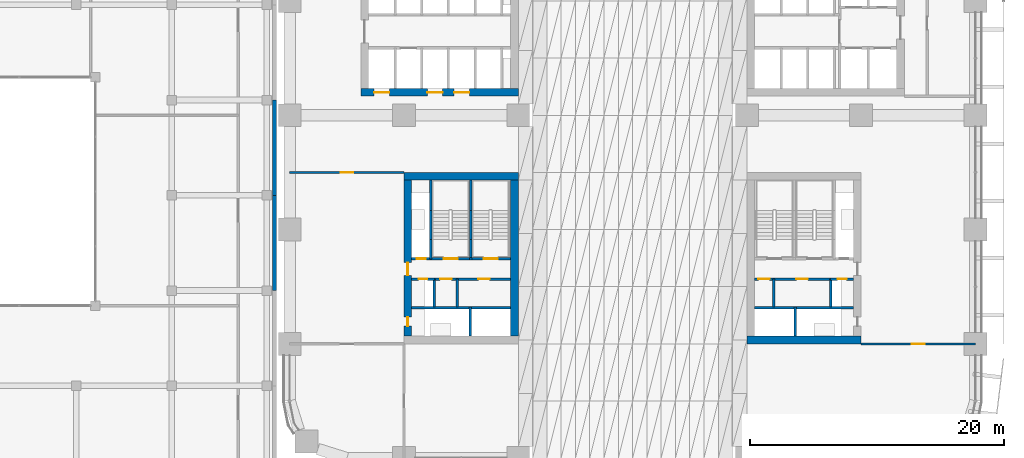
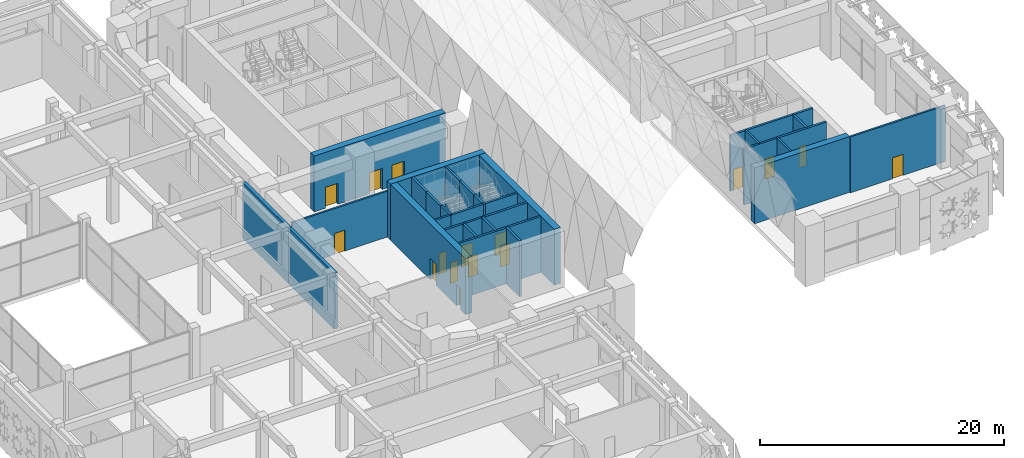
# One storey, part 17 of 46: 31 walls, 16 doors, 16 openings.
"""IFC4 building model written with IfcOpenShell, lengths in metres."""

from ifc_helpers import new_model, si_unit, direction, frame, frame_2d, origin, place, context, subcontext, project, spatial, rectangle, extrude, material, layer, layer_set, type_object, element, fill, save


model = new_model("IFC4")

# Units and contexts
model_context = context("Model", 3, precision=1e-05, world=origin(), true_north=direction((0.0, 1.0)))
body_context = subcontext(model_context, "Body", "Model", "MODEL_VIEW")
ifc_project = project(units=[si_unit("LENGTHUNIT", "METRE"), si_unit("AREAUNIT", "SQUARE_METRE"), si_unit("VOLUMEUNIT", "CUBIC_METRE"), si_unit("PLANEANGLEUNIT", "RADIAN"), si_unit("MASSUNIT", "GRAM", prefix="KILO")], contexts=[model_context])

# Site, building, storey
site_placement = place(None, origin())
site = spatial("IfcSite", under=ifc_project, at=site_placement, CompositionType="ELEMENT")
building_placement = place(site_placement, origin())
building = spatial("IfcBuilding", under=site, at=building_placement, Name="Tessera Arch", CompositionType="ELEMENT")
storey_placement = place(building_placement, frame((0.0, 0.0, 8.0)))
storey = spatial("IfcBuildingStorey", under=building, at=storey_placement, Name="L01", CompositionType="ELEMENT", Elevation=8.0)

# Wall
ifc_material_1 = material(Name="Gypsum board on steel stud", Category="steel")
ifc_layer_1 = layer(ifc_material_1, 0.125)
ifc_layer_set_1 = layer_set([ifc_layer_1], Name="Core partition 125 EI 60")
wall_type_1 = type_object("IfcWallType", Name="Core partition 125 EI 60", PredefinedType="PARTITIONING", material=ifc_layer_set_1)
wall_1_placement = place(storey_placement, frame((38.10009765625, 11.89990234375, 0.0), z_axis=(0.0, 0.0, 1.0), x_axis=(0.0, 1.0, 0.0)))
element("IfcWall", 1, at=wall_1_placement, inside=storey, type_object=wall_type_1, Name="L01 C3 partition wall 1", PredefinedType="PARTITIONING", context=body_context, shape_type="SweptSolid", body=[
    extrude(rectangle(XDim=2.2001953125, YDim=0.199951171875, at=frame_2d((1.10009765625, 0.0))), origin(), (0.0, 0.0, 1.0), 5.590087890625),
])

# Wall, openings, doors
wall_2_placement = place(storey_placement, frame((36.60009765625, 14.10009765625, 0.0), z_axis=(0.0, 0.0, 1.0), x_axis=(1.0, 0.0, 0.0)))
wall_2 = element("IfcWall", 2, at=wall_2_placement, inside=storey, type_object=wall_type_1, Name="L01 C3 partition wall 11", PredefinedType="PARTITIONING", context=body_context, shape_type="SweptSolid", body=[
    extrude(rectangle(XDim=6.0, YDim=0.199951171875, at=frame_2d((3.0, 0.0))), origin(), (0.0, 0.0, 1.0), 5.590087890625),
])
opening_1_placement = place(wall_2_placement, frame((0.300048828125, 0.0, 0.0)))
opening_1 = element("IfcOpeningElement", 3, at=opening_1_placement, cuts=wall_2, Name="Opening L01-C35", PredefinedType="OPENING", context=body_context, shape_type="SweptSolid", body=[
    extrude(rectangle(XDim=0.89990234375, YDim=2.10009765625, at=frame_2d((0.449951171875, 1.050048828125))), frame((0.0, 0.10986328125, 0.0), z_axis=(0.0, -1.0, 0.0), x_axis=(1.0, 0.0, 0.0)), (0.0, 0.0, 1.0), 0.219970703125),
])
opening_2_placement = place(wall_2_placement, frame((3.300048828125, 0.0, 0.0)))
opening_2 = element("IfcOpeningElement", 4, at=opening_2_placement, cuts=wall_2, Name="Opening L01-C36", PredefinedType="OPENING", context=body_context, shape_type="SweptSolid", body=[
    extrude(rectangle(XDim=0.89990234375, YDim=2.10009765625, at=frame_2d((0.449951171875, 1.050048828125))), frame((0.0, 0.10986328125, 0.0), z_axis=(0.0, -1.0, 0.0), x_axis=(1.0, 0.0, 0.0)), (0.0, 0.0, 1.0), 0.219970703125),
])
ifc_material_2 = material(Name="Steel door leaf", Category="steel")
door_type_1 = type_object("IfcDoorType", Name="Store door FD30S 900 x 2100", OperationType="SINGLE_SWING_LEFT", PredefinedType="DOOR", material=ifc_material_2)
door_1_placement = place(opening_1_placement, origin())
door_1 = element("IfcDoor", 5, at=door_1_placement, inside=storey, type_object=door_type_1, Name="L01 C3 door 7 C35 type D09", OperationType="SINGLE_SWING_LEFT", OverallHeight=2.10009765625, OverallWidth=0.89990234375, PredefinedType="DOOR", context=body_context, shape_type="SweptSolid", body=[
    extrude(rectangle(XDim=0.89990234375, YDim=2.10009765625, at=frame_2d((0.449951171875, 1.050048828125))), frame((0.0, 0.02490234375, 0.0), z_axis=(0.0, -1.0, 0.0), x_axis=(1.0, 0.0, 0.0)), (0.0, 0.0, 1.0), 0.050048828125),
])
fill(opening_1, door_1)
door_2_placement = place(opening_2_placement, origin())
door_2 = element("IfcDoor", 6, at=door_2_placement, inside=storey, type_object=door_type_1, Name="L01 C3 door 8 C36 type D09", OperationType="SINGLE_SWING_RIGHT", OverallHeight=2.10009765625, OverallWidth=0.89990234375, PredefinedType="DOOR", context=body_context, shape_type="SweptSolid", body=[
    extrude(rectangle(XDim=0.89990234375, YDim=2.10009765625, at=frame_2d((0.449951171875, 1.050048828125))), frame((0.0, 0.02490234375, 0.0), z_axis=(0.0, -1.0, 0.0), x_axis=(1.0, 0.0, 0.0)), (0.0, 0.0, 1.0), 0.050048828125),
])
fill(opening_2, door_2)

# Wall
wall_3_placement = place(storey_placement, frame((13.199951171875, 11.89990234375, 0.0), z_axis=(0.0, 0.0, 1.0), x_axis=(0.0, 1.0, 0.0)))
element("IfcWall", 7, at=wall_3_placement, inside=storey, type_object=wall_type_1, Name="L01 C4 partition wall 5", PredefinedType="PARTITIONING", context=body_context, shape_type="SweptSolid", body=[
    extrude(rectangle(XDim=2.2001953125, YDim=0.199951171875, at=frame_2d((1.10009765625, 0.0))), origin(), (0.0, 0.0, 1.0), 5.590087890625),
])

# Wall, openings, doors
wall_4_placement = place(storey_placement, frame((11.39990234375, 14.10009765625, 0.0), z_axis=(0.0, 0.0, 1.0), x_axis=(1.0, 0.0, 0.0)))
wall_4 = element("IfcWall", 8, at=wall_4_placement, inside=storey, type_object=wall_type_1, Name="L01 C4 partition wall 11", PredefinedType="PARTITIONING", context=body_context, shape_type="SweptSolid", body=[
    extrude(rectangle(XDim=6.0, YDim=0.199951171875, at=frame_2d((3.0, 0.0))), origin(), (0.0, 0.0, 1.0), 5.590087890625),
])
opening_3_placement = place(wall_4_placement, frame((0.449951171875, 0.0, 0.0)))
opening_3 = element("IfcOpeningElement", 9, at=opening_3_placement, cuts=wall_4, Name="Opening L01-C43", PredefinedType="OPENING", context=body_context, shape_type="SweptSolid", body=[
    extrude(rectangle(XDim=0.89990234375, YDim=2.10009765625, at=frame_2d((0.449951171875, 1.050048828125))), frame((0.0, 0.10986328125, 0.0), z_axis=(0.0, -1.0, 0.0), x_axis=(1.0, 0.0, 0.0)), (0.0, 0.0, 1.0), 0.219970703125),
])
opening_4_placement = place(wall_4_placement, frame((3.449951171875, 0.0, 0.0)))
opening_4 = element("IfcOpeningElement", 10, at=opening_4_placement, cuts=wall_4, Name="Opening L01-C44", PredefinedType="OPENING", context=body_context, shape_type="SweptSolid", body=[
    extrude(rectangle(XDim=0.89990234375, YDim=2.10009765625, at=frame_2d((0.449951171875, 1.050048828125))), frame((0.0, 0.10986328125, 0.0), z_axis=(0.0, -1.0, 0.0), x_axis=(1.0, 0.0, 0.0)), (0.0, 0.0, 1.0), 0.219970703125),
])
door_3_placement = place(opening_3_placement, origin())
door_3 = element("IfcDoor", 11, at=door_3_placement, inside=storey, type_object=door_type_1, Name="L01 C4 door 7 C43 type D09", OperationType="SINGLE_SWING_LEFT", OverallHeight=2.10009765625, OverallWidth=0.89990234375, PredefinedType="DOOR", context=body_context, shape_type="SweptSolid", body=[
    extrude(rectangle(XDim=0.89990234375, YDim=2.10009765625, at=frame_2d((0.449951171875, 1.050048828125))), frame((0.0, 0.02490234375, 0.0), z_axis=(0.0, -1.0, 0.0), x_axis=(1.0, 0.0, 0.0)), (0.0, 0.0, 1.0), 0.050048828125),
])
fill(opening_3, door_3)
door_4_placement = place(opening_4_placement, origin())
door_4 = element("IfcDoor", 12, at=door_4_placement, inside=storey, type_object=door_type_1, Name="L01 C4 door 8 C44 type D09", OperationType="SINGLE_SWING_RIGHT", OverallHeight=2.10009765625, OverallWidth=0.89990234375, PredefinedType="DOOR", context=body_context, shape_type="SweptSolid", body=[
    extrude(rectangle(XDim=0.89990234375, YDim=2.10009765625, at=frame_2d((0.449951171875, 1.050048828125))), frame((0.0, 0.02490234375, 0.0), z_axis=(0.0, -1.0, 0.0), x_axis=(1.0, 0.0, 0.0)), (0.0, 0.0, 1.0), 0.050048828125),
])
fill(opening_4, door_4)

ifc_material_3 = material(Name="Concrete C70/85", Category="concrete")
ifc_layer_2 = layer(ifc_material_3, 0.60009765625)
ifc_layer_set_2 = layer_set([ifc_layer_2], Name="Core shell wall 600 C70-85")
wall_type_2 = type_object("IfcWallType", Name="Core shell wall 600 C70-85", PredefinedType="SHEAR", material=ifc_layer_set_2)
wall_5_placement = place(storey_placement, frame((5.60009765625, 28.800048828125, 0.0), z_axis=(0.0, 0.0, 1.0), x_axis=(1.0, 0.0, 0.0)))
wall_5 = element("IfcWall", 13, at=wall_5_placement, inside=storey, type_object=wall_type_2, Name="L01 C2 core wall S", PredefinedType="SHEAR", context=body_context, shape_type="SweptSolid", body=[
    extrude(rectangle(XDim=12.39990234375, YDim=0.60009765625, at=frame_2d((6.199951171875, 0.0))), origin(), (0.0, 0.0, 1.0), 5.590087890625),
])
opening_5_placement = place(wall_5_placement, frame((1.050048828125, 0.0, 0.0)))
opening_5 = element("IfcOpeningElement", 14, at=opening_5_placement, cuts=wall_5, Name="Opening L01-C13", PredefinedType="OPENING", context=body_context, shape_type="SweptSolid", body=[
    extrude(rectangle(XDim=1.199951171875, YDim=2.10009765625, at=frame_2d((0.60009765625, 1.050048828125))), frame((0.0, 0.31005859375, 0.0), z_axis=(0.0, -1.0, 0.0), x_axis=(1.0, 0.0, 0.0)), (0.0, 0.0, 1.0), 0.6201171875),
])
opening_6_placement = place(wall_5_placement, frame((5.25, 0.0, 0.0)))
opening_6 = element("IfcOpeningElement", 15, at=opening_6_placement, cuts=wall_5, Name="Opening L01-C15", PredefinedType="OPENING", context=body_context, shape_type="SweptSolid", body=[
    extrude(rectangle(XDim=1.199951171875, YDim=2.10009765625, at=frame_2d((0.60009765625, 1.050048828125))), frame((0.0, 0.31005859375, 0.0), z_axis=(0.0, -1.0, 0.0), x_axis=(1.0, 0.0, 0.0)), (0.0, 0.0, 1.0), 0.6201171875),
])
opening_7_placement = place(wall_5_placement, frame((7.35009765625, 0.0, 0.0)))
opening_7 = element("IfcOpeningElement", 16, at=opening_7_placement, cuts=wall_5, Name="Opening L01-C16", PredefinedType="OPENING", context=body_context, shape_type="SweptSolid", body=[
    extrude(rectangle(XDim=1.199951171875, YDim=2.10009765625, at=frame_2d((0.60009765625, 1.050048828125))), frame((0.0, 0.31005859375, 0.0), z_axis=(0.0, -1.0, 0.0), x_axis=(1.0, 0.0, 0.0)), (0.0, 0.0, 1.0), 0.6201171875),
])
ifc_material_4 = material(Name="Stainless steel AISI 304", Category="steel")
door_type_2 = type_object("IfcDoorType", Name="Sliding landing door 1200 x 2100", OperationType="SLIDING_TO_LEFT", PredefinedType="DOOR", material=ifc_material_4)
door_5_placement = place(opening_5_placement, origin())
door_5 = element("IfcDoor", 17, at=door_5_placement, inside=storey, type_object=door_type_2, Name="L01 LR1 lift landing door C13 type LD", OperationType="SLIDING_TO_LEFT", OverallHeight=2.10009765625, OverallWidth=1.199951171875, PredefinedType="DOOR", context=body_context, shape_type="SweptSolid", body=[
    extrude(rectangle(XDim=1.199951171875, YDim=2.10009765625, at=frame_2d((0.60009765625, 1.050048828125))), frame((0.0, 0.02490234375, 0.0), z_axis=(0.0, -1.0, 0.0), x_axis=(1.0, 0.0, 0.0)), (0.0, 0.0, 1.0), 0.050048828125),
])
fill(opening_5, door_5)
door_6_placement = place(opening_6_placement, origin())
door_6 = element("IfcDoor", 18, at=door_6_placement, inside=storey, type_object=door_type_2, Name="L01 LR3 lift landing door C15 type LD", OperationType="SLIDING_TO_LEFT", OverallHeight=2.10009765625, OverallWidth=1.199951171875, PredefinedType="DOOR", context=body_context, shape_type="SweptSolid", body=[
    extrude(rectangle(XDim=1.199951171875, YDim=2.10009765625, at=frame_2d((0.60009765625, 1.050048828125))), frame((0.0, 0.02490234375, 0.0), z_axis=(0.0, -1.0, 0.0), x_axis=(1.0, 0.0, 0.0)), (0.0, 0.0, 1.0), 0.050048828125),
])
fill(opening_6, door_6)
door_7_placement = place(opening_7_placement, origin())
door_7 = element("IfcDoor", 19, at=door_7_placement, inside=storey, type_object=door_type_2, Name="L01 LR4 lift landing door C16 type LD", OperationType="SLIDING_TO_LEFT", OverallHeight=2.10009765625, OverallWidth=1.199951171875, PredefinedType="DOOR", context=body_context, shape_type="SweptSolid", body=[
    extrude(rectangle(XDim=1.199951171875, YDim=2.10009765625, at=frame_2d((0.60009765625, 1.050048828125))), frame((0.0, 0.02490234375, 0.0), z_axis=(0.0, -1.0, 0.0), x_axis=(1.0, 0.0, 0.0)), (0.0, 0.0, 1.0), 0.050048828125),
])
fill(opening_7, door_7)

# Walls
for number, where, z_axis, x_axis, name in (
    (20, (36.0, 9.300048828125, 0.0), (0.0, 0.0, 1.0), (1.0, 0.0, 0.0), "L01 C3 core wall S"),
    (21, (9.0, 22.199951171875, 0.0), (0.0, 0.0, 1.0), (1.0, 0.0, 0.0), "L01 C4 core wall N"),
):
    element("IfcWall", number, at=place(storey_placement, frame(where, z_axis=z_axis, x_axis=x_axis)), inside=storey, type_object=wall_type_2, Name=name, PredefinedType="SHEAR", context=body_context, shape_type="SweptSolid", body=[
        extrude(rectangle(XDim=9.0, YDim=0.60009765625, at=frame_2d((4.5, 0.0))), origin(), (0.0, 0.0, 1.0), 5.590087890625),
    ])

# Wall, openings, doors
wall_6_placement = place(storey_placement, frame((9.300048828125, 9.60009765625, 0.0), z_axis=(0.0, 0.0, 1.0), x_axis=(0.0, 1.0, 0.0)))
wall_6 = element("IfcWall", 22, at=wall_6_placement, inside=storey, type_object=wall_type_2, Name="L01 C4 core wall W", PredefinedType="SHEAR", context=body_context, shape_type="SweptSolid", body=[
    extrude(rectangle(XDim=12.2998046875, YDim=0.60009765625, at=frame_2d((6.14990234375, 0.0))), origin(), (0.0, 0.0, 1.0), 5.590087890625),
])
opening_8_placement = place(wall_6_placement, frame((0.800048828125, 0.0, 0.0)))
opening_8 = element("IfcOpeningElement", 23, at=opening_8_placement, cuts=wall_6, Name="Opening L01-C41", PredefinedType="OPENING", context=body_context, shape_type="SweptSolid", body=[
    extrude(rectangle(XDim=0.699951171875, YDim=2.10009765625, at=frame_2d((0.35009765625, 1.050048828125))), frame((0.0, 0.31005859375, 0.0), z_axis=(0.0, -1.0, 0.0), x_axis=(1.0, 0.0, 0.0)), (0.0, 0.0, 1.0), 0.6201171875),
])
opening_9_placement = place(wall_6_placement, frame((4.800048828125, 0.0, 0.0)))
opening_9 = element("IfcOpeningElement", 24, at=opening_9_placement, cuts=wall_6, Name="Opening L01-C42", PredefinedType="OPENING", context=body_context, shape_type="SweptSolid", body=[
    extrude(rectangle(XDim=1.0, YDim=2.10009765625, at=frame_2d((0.5, 1.050048828125))), frame((0.0, 0.31005859375, 0.0), z_axis=(0.0, -1.0, 0.0), x_axis=(1.0, 0.0, 0.0)), (0.0, 0.0, 1.0), 0.6201171875),
])
ifc_material_5 = material(Name="Steel door leaf", Category="steel")
door_type_3 = type_object("IfcDoorType", Name="Corridor door FD60 1000 x 2100", OperationType="SINGLE_SWING_LEFT", PredefinedType="DOOR", material=ifc_material_5)
door_8_placement = place(opening_9_placement, origin())
door_8 = element("IfcDoor", 25, at=door_8_placement, inside=storey, type_object=door_type_3, Name="L01 C4 door 6 C42 type D12", OperationType="SINGLE_SWING_LEFT", OverallHeight=2.10009765625, OverallWidth=1.0, PredefinedType="DOOR", context=body_context, shape_type="SweptSolid", body=[
    extrude(rectangle(XDim=1.0, YDim=2.10009765625, at=frame_2d((0.5, 1.050048828125))), frame((0.0, 0.02490234375, 0.0), z_axis=(0.0, -1.0, 0.0), x_axis=(1.0, 0.0, 0.0)), (0.0, 0.0, 1.0), 0.050048828125),
])
fill(opening_9, door_8)
ifc_material_6 = material(Name="Steel door leaf", Category="steel")
door_type_4 = type_object("IfcDoorType", Name="Service shaft door FD60 700 x 2100", OperationType="SINGLE_SWING_LEFT", PredefinedType="DOOR", material=ifc_material_6)
door_9_placement = place(opening_8_placement, origin())
door_9 = element("IfcDoor", 26, at=door_9_placement, inside=storey, type_object=door_type_4, Name="L01 C4 door 5 C41 type D07", OperationType="SINGLE_SWING_LEFT", OverallHeight=2.10009765625, OverallWidth=0.699951171875, PredefinedType="DOOR", context=body_context, shape_type="SweptSolid", body=[
    extrude(rectangle(XDim=0.699951171875, YDim=2.10009765625, at=frame_2d((0.35009765625, 1.050048828125))), frame((0.0, 0.02490234375, 0.0), z_axis=(0.0, -1.0, 0.0), x_axis=(1.0, 0.0, 0.0)), (0.0, 0.0, 1.0), 0.050048828125),
])
fill(opening_8, door_9)

# Wall
wall_7_placement = place(storey_placement, frame((17.699951171875, 9.60009765625, 0.0), z_axis=(0.0, 0.0, 1.0), x_axis=(0.0, 1.0, 0.0)))
element("IfcWall", 27, at=wall_7_placement, inside=storey, type_object=wall_type_2, Name="L01 C4 core wall E", PredefinedType="SHEAR", context=body_context, shape_type="SweptSolid", body=[
    extrude(rectangle(XDim=12.2998046875, YDim=0.60009765625, at=frame_2d((6.14990234375, 0.0))), origin(), (0.0, 0.0, 1.0), 5.590087890625),
])

# Wall, opening, door
ifc_material_7 = material(Name="Gypsum board on deep steel stud with mineral wool", Category="steel")
ifc_layer_3 = layer(ifc_material_7, 0.175048828125)
ifc_layer_set_3 = layer_set([ifc_layer_3], Name="Corridor wall 175 EI 60")
wall_type_3 = type_object("IfcWallType", Name="Corridor wall 175 EI 60", PredefinedType="PARTITIONING", material=ifc_layer_set_3)
wall_8_placement = place(storey_placement, frame((45.0, 9.0, 0.0), z_axis=(0.0, 0.0, 1.0), x_axis=(1.0, 0.0, 0.0)))
wall_8 = element("IfcWall", 28, at=wall_8_placement, inside=storey, type_object=wall_type_3, Name="L01 partition 4", PredefinedType="PARTITIONING", context=body_context, shape_type="SweptSolid", body=[
    extrude(rectangle(XDim=9.0, YDim=0.175048828125, at=frame_2d((4.5, 0.0))), origin(), (0.0, 0.0, 1.0), 5.590087890625),
])
opening_10_placement = place(wall_8_placement, frame((4.0, 0.0, 0.0)))
opening_10 = element("IfcOpeningElement", 29, at=opening_10_placement, cuts=wall_8, Name="Opening L01-D010", PredefinedType="OPENING", context=body_context, shape_type="SweptSolid", body=[
    extrude(rectangle(XDim=1.0, YDim=2.10009765625, at=frame_2d((0.5, 1.050048828125))), frame((0.0, 0.097412109375, 0.0), z_axis=(0.0, -1.0, 0.0), x_axis=(1.0, 0.0, 0.0)), (0.0, 0.0, 1.0), 0.195068359375),
])
ifc_material_8 = material(Name="Fire-rated door leaf")
door_type_5 = type_object("IfcDoorType", Name="Entrance door FD30S 1000 x 2100", OperationType="SINGLE_SWING_LEFT", PredefinedType="DOOR", material=ifc_material_8)
door_10_placement = place(opening_10_placement, origin())
door_10 = element("IfcDoor", 30, at=door_10_placement, inside=storey, type_object=door_type_5, Name="L01 door D010 type D03", OperationType="SINGLE_SWING_LEFT", OverallHeight=2.10009765625, OverallWidth=1.0, PredefinedType="DOOR", context=body_context, shape_type="SweptSolid", body=[
    extrude(rectangle(XDim=1.0, YDim=2.10009765625, at=frame_2d((0.5, 1.050048828125))), frame((0.0, 0.02490234375, 0.0), z_axis=(0.0, -1.0, 0.0), x_axis=(1.0, 0.0, 0.0)), (0.0, 0.0, 1.0), 0.050048828125),
])
fill(opening_10, door_10)

wall_9_placement = place(storey_placement, frame((0.0, 22.5, 0.0), z_axis=(0.0, 0.0, 1.0), x_axis=(1.0, 0.0, 0.0)))
wall_9 = element("IfcWall", 31, at=wall_9_placement, inside=storey, type_object=wall_type_3, Name="L01 partition 7", PredefinedType="PARTITIONING", context=body_context, shape_type="SweptSolid", body=[
    extrude(rectangle(XDim=9.0, YDim=0.175048828125, at=frame_2d((4.5, 0.0))), origin(), (0.0, 0.0, 1.0), 4.590087890625),
])
opening_11_placement = place(wall_9_placement, frame((4.0, 0.0, 0.0)))
opening_11 = element("IfcOpeningElement", 32, at=opening_11_placement, cuts=wall_9, Name="Opening L01-D013", PredefinedType="OPENING", context=body_context, shape_type="SweptSolid", body=[
    extrude(rectangle(XDim=1.0, YDim=2.10009765625, at=frame_2d((0.5, 1.050048828125))), frame((0.0, 0.097412109375, 0.0), z_axis=(0.0, -1.0, 0.0), x_axis=(1.0, 0.0, 0.0)), (0.0, 0.0, 1.0), 0.195068359375),
])
door_11_placement = place(opening_11_placement, origin())
door_11 = element("IfcDoor", 33, at=door_11_placement, inside=storey, type_object=door_type_5, Name="L01 door D013 type D03", OperationType="SINGLE_SWING_LEFT", OverallHeight=2.10009765625, OverallWidth=1.0, PredefinedType="DOOR", context=body_context, shape_type="SweptSolid", body=[
    extrude(rectangle(XDim=1.0, YDim=2.10009765625, at=frame_2d((0.5, 1.050048828125))), frame((0.0, 0.02490234375, 0.0), z_axis=(0.0, -1.0, 0.0), x_axis=(1.0, 0.0, 0.0)), (0.0, 0.0, 1.0), 0.050048828125),
])
fill(opening_11, door_11)

# Walls
ifc_material_9 = material(Name="Concrete C40/50", Category="concrete")
ifc_layer_4 = layer(ifc_material_9, 0.300048828125)
ifc_layer_set_4 = layer_set([ifc_layer_4], Name="Museum fire wall")
wall_type_4 = type_object("IfcWallType", Name="Museum fire wall", PredefinedType="SOLIDWALL", material=ifc_layer_set_4)
for number, where, z_axis, x_axis, name in (
    (34, (-1.199951171875, 13.199951171875, 0.0), (0.0, 0.0, 1.0), (0.0, 1.0, 0.0), "Museum fire wall at the movement joint"),
    (35, (-1.199951171875, 20.699951171875, 0.0), (0.0, 0.0, 1.0), (0.0, 1.0, 0.0), "Museum fire wall at the movement joint"),
):
    element("IfcWall", number, at=place(storey_placement, frame(where, z_axis=z_axis, x_axis=x_axis)), inside=storey, type_object=wall_type_4, Name=name, PredefinedType="SOLIDWALL", context=body_context, shape_type="SweptSolid", body=[
        extrude(rectangle(XDim=7.5, YDim=0.300048828125, at=frame_2d((3.75, 0.0))), origin(), (0.0, 0.0, 1.0), 5.590087890625),
    ])
ifc_material_10 = material(Name="Concrete C40/50", Category="concrete")
ifc_layer_5 = layer(ifc_material_10, 0.199951171875)
ifc_layer_set_5 = layer_set([ifc_layer_5], Name="Shaft wall 200 EI 120")
wall_type_5 = type_object("IfcWallType", Name="Shaft wall 200 EI 120", PredefinedType="SOLIDWALL", material=ifc_layer_set_5)
wall_10_placement = place(storey_placement, frame((39.800048828125, 9.60009765625, 0.0), z_axis=(0.0, 0.0, 1.0), x_axis=(0.0, 1.0, 0.0)))
element("IfcWall", 36, at=wall_10_placement, inside=storey, type_object=wall_type_5, Name="L01 C3 shaft wall 5", PredefinedType="SOLIDWALL", context=body_context, shape_type="SweptSolid", body=[
    extrude(rectangle(XDim=2.2998046875, YDim=0.199951171875, at=frame_2d((1.14990234375, 0.0))), origin(), (0.0, 0.0, 1.0), 5.590087890625),
])
wall_11_placement = place(storey_placement, frame((42.60009765625, 11.89990234375, 0.0), z_axis=(0.0, 0.0, 1.0), x_axis=(0.0, 1.0, 0.0)))
element("IfcWall", 37, at=wall_11_placement, inside=storey, type_object=wall_type_5, Name="L01 C3 shaft wall 6", PredefinedType="SOLIDWALL", context=body_context, shape_type="SweptSolid", body=[
    extrude(rectangle(XDim=2.2001953125, YDim=0.199951171875, at=frame_2d((1.10009765625, 0.0))), origin(), (0.0, 0.0, 1.0), 5.590087890625),
])
wall_12_placement = place(storey_placement, frame((36.60009765625, 11.85009765625, 0.0), z_axis=(0.0, 0.0, 1.0), x_axis=(1.0, 0.0, 0.0)))
element("IfcWall", 38, at=wall_12_placement, inside=storey, type_object=wall_type_5, Name="L01 C3 shaft wall 10", PredefinedType="SOLIDWALL", context=body_context, shape_type="SweptSolid", body=[
    extrude(rectangle(XDim=7.7998046875, YDim=0.199951171875, at=frame_2d((3.89990234375, 0.0))), origin(), (0.0, 0.0, 1.0), 5.590087890625),
])

# Wall, opening, door
wall_13_placement = place(storey_placement, frame((42.60009765625, 14.10009765625, 0.0), z_axis=(0.0, 0.0, 1.0), x_axis=(1.0, 0.0, 0.0)))
wall_13 = element("IfcWall", 39, at=wall_13_placement, inside=storey, type_object=wall_type_5, Name="L01 C3 shaft wall 12", PredefinedType="SOLIDWALL", context=body_context, shape_type="SweptSolid", body=[
    extrude(rectangle(XDim=1.7998046875, YDim=0.199951171875, at=frame_2d((0.89990234375, 0.0))), origin(), (0.0, 0.0, 1.0), 5.590087890625),
])
opening_12_placement = place(wall_13_placement, frame((0.550048828125, 0.0, 0.0)))
opening_12 = element("IfcOpeningElement", 40, at=opening_12_placement, cuts=wall_13, Name="Opening L01-C32", PredefinedType="OPENING", context=body_context, shape_type="SweptSolid", body=[
    extrude(rectangle(XDim=0.699951171875, YDim=2.10009765625, at=frame_2d((0.35009765625, 1.050048828125))), frame((0.0, 0.10986328125, 0.0), z_axis=(0.0, -1.0, 0.0), x_axis=(1.0, 0.0, 0.0)), (0.0, 0.0, 1.0), 0.219970703125),
])
door_12_placement = place(opening_12_placement, origin())
door_12 = element("IfcDoor", 41, at=door_12_placement, inside=storey, type_object=door_type_4, Name="L01 C3 door 4 C32 type D07", OperationType="SINGLE_SWING_RIGHT", OverallHeight=2.10009765625, OverallWidth=0.699951171875, PredefinedType="DOOR", context=body_context, shape_type="SweptSolid", body=[
    extrude(rectangle(XDim=0.699951171875, YDim=2.10009765625, at=frame_2d((0.35009765625, 1.050048828125))), frame((0.0, 0.02490234375, 0.0), z_axis=(0.0, -1.0, 0.0), x_axis=(1.0, 0.0, 0.0)), (0.0, 0.0, 1.0), 0.050048828125),
])
fill(opening_12, door_12)

# Walls
wall_14_placement = place(storey_placement, frame((11.39990234375, 11.89990234375, 0.0), z_axis=(0.0, 0.0, 1.0), x_axis=(0.0, 1.0, 0.0)))
element("IfcWall", 42, at=wall_14_placement, inside=storey, type_object=wall_type_5, Name="L01 C4 shaft wall 4", PredefinedType="SOLIDWALL", context=body_context, shape_type="SweptSolid", body=[
    extrude(rectangle(XDim=2.2001953125, YDim=0.199951171875, at=frame_2d((1.10009765625, 0.0))), origin(), (0.0, 0.0, 1.0), 5.590087890625),
])
wall_15_placement = place(storey_placement, frame((14.199951171875, 9.60009765625, 0.0), z_axis=(0.0, 0.0, 1.0), x_axis=(0.0, 1.0, 0.0)))
element("IfcWall", 43, at=wall_15_placement, inside=storey, type_object=wall_type_5, Name="L01 C4 shaft wall 6", PredefinedType="SOLIDWALL", context=body_context, shape_type="SweptSolid", body=[
    extrude(rectangle(XDim=2.2998046875, YDim=0.199951171875, at=frame_2d((1.14990234375, 0.0))), origin(), (0.0, 0.0, 1.0), 5.590087890625),
])
wall_16_placement = place(storey_placement, frame((9.60009765625, 11.85009765625, 0.0), z_axis=(0.0, 0.0, 1.0), x_axis=(1.0, 0.0, 0.0)))
element("IfcWall", 44, at=wall_16_placement, inside=storey, type_object=wall_type_5, Name="L01 C4 shaft wall 10", PredefinedType="SOLIDWALL", context=body_context, shape_type="SweptSolid", body=[
    extrude(rectangle(XDim=7.7998046875, YDim=0.199951171875, at=frame_2d((3.89990234375, 0.0))), origin(), (0.0, 0.0, 1.0), 5.590087890625),
])

# Wall, opening, door
wall_17_placement = place(storey_placement, frame((9.60009765625, 14.10009765625, 0.0), z_axis=(0.0, 0.0, 1.0), x_axis=(1.0, 0.0, 0.0)))
wall_17 = element("IfcWall", 45, at=wall_17_placement, inside=storey, type_object=wall_type_5, Name="L01 C4 shaft wall 12", PredefinedType="SOLIDWALL", context=body_context, shape_type="SweptSolid", body=[
    extrude(rectangle(XDim=1.7998046875, YDim=0.199951171875, at=frame_2d((0.89990234375, 0.0))), origin(), (0.0, 0.0, 1.0), 5.590087890625),
])
opening_13_placement = place(wall_17_placement, frame((0.550048828125, 0.0, 0.0)))
opening_13 = element("IfcOpeningElement", 46, at=opening_13_placement, cuts=wall_17, Name="Opening L01-C40", PredefinedType="OPENING", context=body_context, shape_type="SweptSolid", body=[
    extrude(rectangle(XDim=0.699951171875, YDim=2.10009765625, at=frame_2d((0.35009765625, 1.050048828125))), frame((0.0, 0.10986328125, 0.0), z_axis=(0.0, -1.0, 0.0), x_axis=(1.0, 0.0, 0.0)), (0.0, 0.0, 1.0), 0.219970703125),
])
door_13_placement = place(opening_13_placement, origin())
door_13 = element("IfcDoor", 47, at=door_13_placement, inside=storey, type_object=door_type_4, Name="L01 C4 door 4 C40 type D07", OperationType="SINGLE_SWING_LEFT", OverallHeight=2.10009765625, OverallWidth=0.699951171875, PredefinedType="DOOR", context=body_context, shape_type="SweptSolid", body=[
    extrude(rectangle(XDim=0.699951171875, YDim=2.10009765625, at=frame_2d((0.35009765625, 1.050048828125))), frame((0.0, 0.02490234375, 0.0), z_axis=(0.0, -1.0, 0.0), x_axis=(1.0, 0.0, 0.0)), (0.0, 0.0, 1.0), 0.050048828125),
])
fill(opening_13, door_13)

wall_18_placement = place(storey_placement, frame((9.60009765625, 15.699951171875, 0.0), z_axis=(0.0, 0.0, 1.0), x_axis=(1.0, 0.0, 0.0)))
wall_18 = element("IfcWall", 48, at=wall_18_placement, inside=storey, type_object=wall_type_5, Name="L01 C4 shaft wall 13", PredefinedType="SOLIDWALL", context=body_context, shape_type="SweptSolid", body=[
    extrude(rectangle(XDim=1.5, YDim=0.199951171875, at=frame_2d((0.75, 0.0))), origin(), (0.0, 0.0, 1.0), 5.590087890625),
])
opening_14_placement = place(wall_18_placement, frame((0.39990234375, 0.0, 0.0)))
opening_14 = element("IfcOpeningElement", 49, at=opening_14_placement, cuts=wall_18, Name="Opening L01-C39", PredefinedType="OPENING", context=body_context, shape_type="SweptSolid", body=[
    extrude(rectangle(XDim=0.699951171875, YDim=2.10009765625, at=frame_2d((0.35009765625, 1.050048828125))), frame((0.0, 0.10986328125, 0.0), z_axis=(0.0, -1.0, 0.0), x_axis=(1.0, 0.0, 0.0)), (0.0, 0.0, 1.0), 0.219970703125),
])
door_14_placement = place(opening_14_placement, origin())
door_14 = element("IfcDoor", 50, at=door_14_placement, inside=storey, type_object=door_type_4, Name="L01 C4 door 3 C39 type D07", OperationType="SINGLE_SWING_LEFT", OverallHeight=2.10009765625, OverallWidth=0.699951171875, PredefinedType="DOOR", context=body_context, shape_type="SweptSolid", body=[
    extrude(rectangle(XDim=0.699951171875, YDim=2.10009765625, at=frame_2d((0.35009765625, 1.050048828125))), frame((0.0, 0.02490234375, 0.0), z_axis=(0.0, -1.0, 0.0), x_axis=(1.0, 0.0, 0.0)), (0.0, 0.0, 1.0), 0.050048828125),
])
fill(opening_14, door_14)

# Walls
ifc_material_11 = material(Name="Concrete C40/50", Category="concrete")
ifc_layer_6 = layer(ifc_material_11, 0.199951171875)
ifc_layer_set_6 = layer_set([ifc_layer_6], Name="Stair well wall 200 REI 180")
wall_type_6 = type_object("IfcWallType", Name="Stair well wall 200 REI 180", PredefinedType="SOLIDWALL", material=ifc_layer_set_6)
wall_19_placement = place(storey_placement, frame((11.10009765625, 15.699951171875, 0.0), z_axis=(0.0, 0.0, 1.0), x_axis=(0.0, 1.0, 0.0)))
element("IfcWall", 51, at=wall_19_placement, inside=storey, type_object=wall_type_6, Name="L01 C4 shaft wall 1", PredefinedType="SOLIDWALL", context=body_context, shape_type="SweptSolid", body=[
    extrude(rectangle(XDim=1.5, YDim=0.199951171875, at=frame_2d((0.75, 0.0))), origin(), (0.0, 0.0, 1.0), 5.590087890625),
])
wall_20_placement = place(storey_placement, frame((11.10009765625, 17.199951171875, 0.0), z_axis=(0.0, 0.0, 1.0), x_axis=(0.0, 1.0, 0.0)))
element("IfcWall", 52, at=wall_20_placement, inside=storey, type_object=wall_type_6, Name="L01 C4 shaft wall 2", PredefinedType="SOLIDWALL", context=body_context, shape_type="SweptSolid", body=[
    extrude(rectangle(XDim=2.320068359375, YDim=0.199951171875, at=frame_2d((1.16015625, 0.0))), origin(), (0.0, 0.0, 1.0), 5.590087890625),
])
wall_21_placement = place(storey_placement, frame((11.10009765625, 19.52001953125, 0.0), z_axis=(0.0, 0.0, 1.0), x_axis=(0.0, 1.0, 0.0)))
element("IfcWall", 53, at=wall_21_placement, inside=storey, type_object=wall_type_6, Name="L01 C4 shaft wall 3", PredefinedType="SOLIDWALL", context=body_context, shape_type="SweptSolid", body=[
    extrude(rectangle(XDim=2.3798828125, YDim=0.199951171875, at=frame_2d((1.18994140625, 0.0))), origin(), (0.0, 0.0, 1.0), 5.590087890625),
])
wall_22_placement = place(storey_placement, frame((14.25, 15.699951171875, 0.0), z_axis=(0.0, 0.0, 1.0), x_axis=(0.0, 1.0, 0.0)))
element("IfcWall", 54, at=wall_22_placement, inside=storey, type_object=wall_type_6, Name="L01 C4 shaft wall 7", PredefinedType="SOLIDWALL", context=body_context, shape_type="SweptSolid", body=[
    extrude(rectangle(XDim=1.5, YDim=0.199951171875, at=frame_2d((0.75, 0.0))), origin(), (0.0, 0.0, 1.0), 5.590087890625),
])
wall_23_placement = place(storey_placement, frame((14.25, 17.199951171875, 0.0), z_axis=(0.0, 0.0, 1.0), x_axis=(0.0, 1.0, 0.0)))
element("IfcWall", 55, at=wall_23_placement, inside=storey, type_object=wall_type_6, Name="L01 C4 shaft wall 8", PredefinedType="SOLIDWALL", context=body_context, shape_type="SweptSolid", body=[
    extrude(rectangle(XDim=2.320068359375, YDim=0.199951171875, at=frame_2d((1.16015625, 0.0))), origin(), (0.0, 0.0, 1.0), 5.590087890625),
])
wall_24_placement = place(storey_placement, frame((14.25, 19.52001953125, 0.0), z_axis=(0.0, 0.0, 1.0), x_axis=(0.0, 1.0, 0.0)))
element("IfcWall", 56, at=wall_24_placement, inside=storey, type_object=wall_type_6, Name="L01 C4 shaft wall 9", PredefinedType="SOLIDWALL", context=body_context, shape_type="SweptSolid", body=[
    extrude(rectangle(XDim=2.3798828125, YDim=0.199951171875, at=frame_2d((1.18994140625, 0.0))), origin(), (0.0, 0.0, 1.0), 5.590087890625),
])

# Wall, opening, door
wall_25_placement = place(storey_placement, frame((11.10009765625, 15.699951171875, 0.0), z_axis=(0.0, 0.0, 1.0), x_axis=(1.0, 0.0, 0.0)))
wall_25 = element("IfcWall", 57, at=wall_25_placement, inside=storey, type_object=wall_type_6, Name="L01 C4 shaft wall 14", PredefinedType="SOLIDWALL", context=body_context, shape_type="SweptSolid", body=[
    extrude(rectangle(XDim=3.0498046875, YDim=0.199951171875, at=frame_2d((1.52490234375, 0.0))), origin(), (0.0, 0.0, 1.0), 5.590087890625),
])
opening_15_placement = place(wall_25_placement, frame((1.02490234375, 0.0, 0.0)))
opening_15 = element("IfcOpeningElement", 58, at=opening_15_placement, cuts=wall_25, Name="Opening L01-C38", PredefinedType="OPENING", context=body_context, shape_type="SweptSolid", body=[
    extrude(rectangle(XDim=1.10009765625, YDim=2.10009765625, at=frame_2d((0.550048828125, 1.050048828125))), frame((0.0, 0.10986328125, 0.0), z_axis=(0.0, -1.0, 0.0), x_axis=(1.0, 0.0, 0.0)), (0.0, 0.0, 1.0), 0.219970703125),
])
ifc_material_12 = material(Name="Steel door leaf", Category="steel")
door_type_6 = type_object("IfcDoorType", Name="Stair door FD60 1100 x 2100", OperationType="SINGLE_SWING_LEFT", PredefinedType="DOOR", material=ifc_material_12)
door_15_placement = place(opening_15_placement, origin())
door_15 = element("IfcDoor", 59, at=door_15_placement, inside=storey, type_object=door_type_6, Name="L01 C4 door 2 C38 type D05", OperationType="SINGLE_SWING_RIGHT", OverallHeight=2.10009765625, OverallWidth=1.10009765625, PredefinedType="DOOR", context=body_context, shape_type="SweptSolid", body=[
    extrude(rectangle(XDim=1.10009765625, YDim=2.10009765625, at=frame_2d((0.550048828125, 1.050048828125))), frame((0.0, 0.02490234375, 0.0), z_axis=(0.0, -1.0, 0.0), x_axis=(1.0, 0.0, 0.0)), (0.0, 0.0, 1.0), 0.050048828125),
])
fill(opening_15, door_15)

# Wall
wall_26_placement = place(storey_placement, frame((14.14990234375, 15.699951171875, 0.0), z_axis=(0.0, 0.0, 1.0), x_axis=(1.0, 0.0, 0.0)))
element("IfcWall", 60, at=wall_26_placement, inside=storey, type_object=wall_type_6, Name="L01 C4 shaft wall 15", PredefinedType="SOLIDWALL", context=body_context, shape_type="SweptSolid", body=[
    extrude(rectangle(XDim=0.2001953125, YDim=0.199951171875, at=frame_2d((0.10009765625, 0.0))), origin(), (0.0, 0.0, 1.0), 5.590087890625),
])

# Wall, opening, door
wall_27_placement = place(storey_placement, frame((14.35009765625, 15.699951171875, 0.0), z_axis=(0.0, 0.0, 1.0), x_axis=(1.0, 0.0, 0.0)))
wall_27 = element("IfcWall", 61, at=wall_27_placement, inside=storey, type_object=wall_type_6, Name="L01 C4 shaft wall 16", PredefinedType="SOLIDWALL", context=body_context, shape_type="SweptSolid", body=[
    extrude(rectangle(XDim=3.0498046875, YDim=0.199951171875, at=frame_2d((1.52490234375, 0.0))), origin(), (0.0, 0.0, 1.0), 5.590087890625),
])
opening_16_placement = place(wall_27_placement, frame((0.925048828125, 0.0, 0.0)))
opening_16 = element("IfcOpeningElement", 62, at=opening_16_placement, cuts=wall_27, Name="Opening L01-C37", PredefinedType="OPENING", context=body_context, shape_type="SweptSolid", body=[
    extrude(rectangle(XDim=1.10009765625, YDim=2.10009765625, at=frame_2d((0.550048828125, 1.050048828125))), frame((0.0, 0.10986328125, 0.0), z_axis=(0.0, -1.0, 0.0), x_axis=(1.0, 0.0, 0.0)), (0.0, 0.0, 1.0), 0.219970703125),
])
door_16_placement = place(opening_16_placement, origin())
door_16 = element("IfcDoor", 63, at=door_16_placement, inside=storey, type_object=door_type_6, Name="L01 C4 door 1 C37 type D05", OperationType="SINGLE_SWING_LEFT", OverallHeight=2.10009765625, OverallWidth=1.10009765625, PredefinedType="DOOR", context=body_context, shape_type="SweptSolid", body=[
    extrude(rectangle(XDim=1.10009765625, YDim=2.10009765625, at=frame_2d((0.550048828125, 1.050048828125))), frame((0.0, 0.02490234375, 0.0), z_axis=(0.0, -1.0, 0.0), x_axis=(1.0, 0.0, 0.0)), (0.0, 0.0, 1.0), 0.050048828125),
])
fill(opening_16, door_16)

save(model, "model.ifc")
